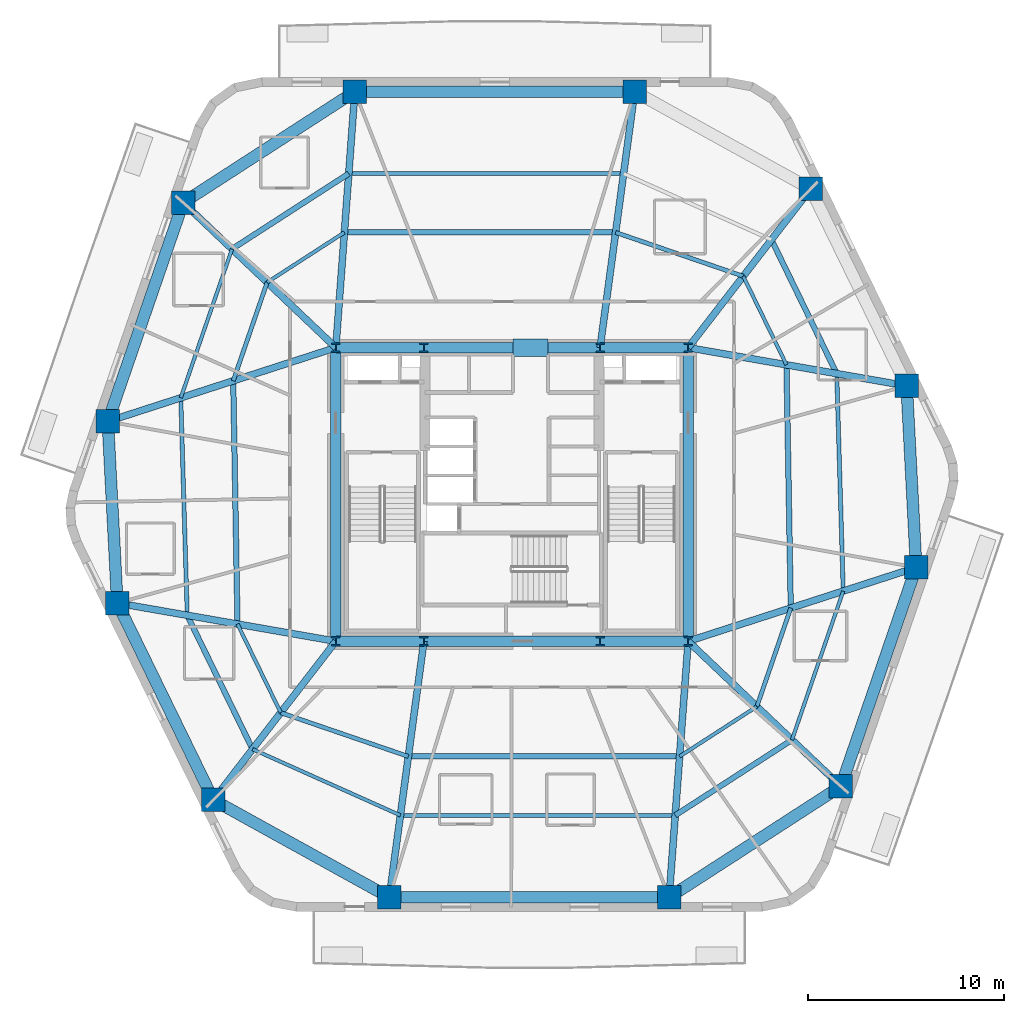
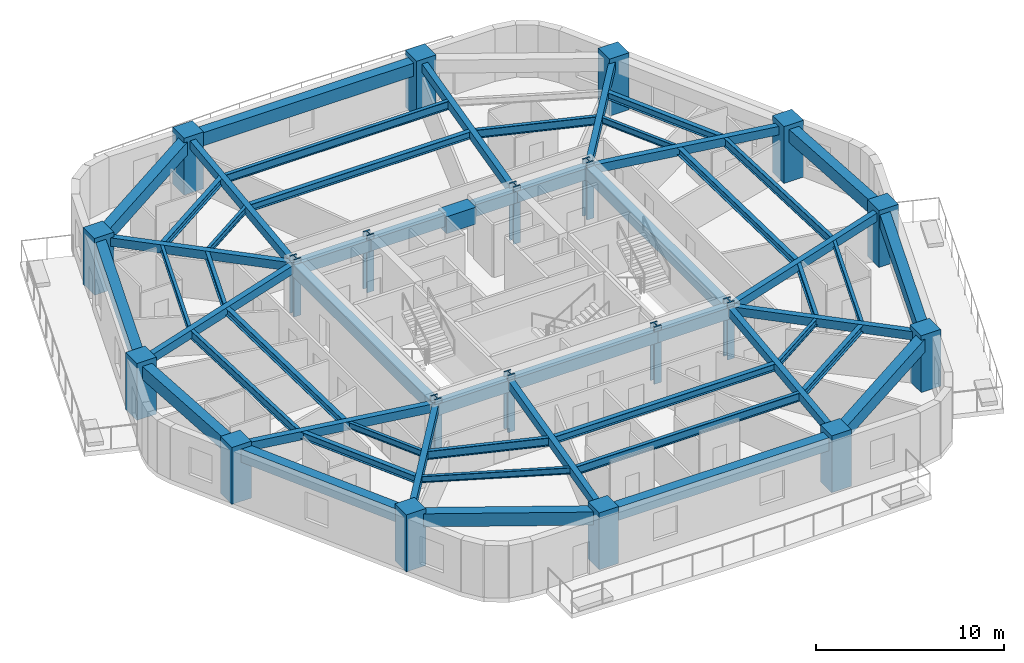
# One storey, part 1 of 8: 54 beams, 20 columns.
"""IFC4 building model written with IfcOpenShell, lengths in metres."""

from ifc_helpers import new_model, si_unit, direction, frame, origin, origin_2d, place, context, subcontext, project, spatial, rectangle, i_section, extrude, material, material_profile, profile_set, type_object, element, save


model = new_model("IFC4")

# Units and contexts
model_context = context("Model", 3, precision=1e-05, world=origin(), true_north=direction((0.0, 1.0)))
body_context = subcontext(model_context, "Body", "Model", "MODEL_VIEW")
ifc_project = project(units=[si_unit("LENGTHUNIT", "METRE"), si_unit("AREAUNIT", "SQUARE_METRE"), si_unit("VOLUMEUNIT", "CUBIC_METRE"), si_unit("PLANEANGLEUNIT", "RADIAN"), si_unit("MASSUNIT", "GRAM", prefix="KILO")], contexts=[model_context])

# Site, building, storey
site_placement = place(None, origin())
site = spatial("IfcSite", under=ifc_project, at=site_placement, CompositionType="ELEMENT")
building_placement = place(site_placement, origin())
building = spatial("IfcBuilding", under=site, at=building_placement, Name="Kilnhurst Terrace Hotel", CompositionType="ELEMENT")
storey_placement = place(building_placement, frame((0.0, 0.0, 109.89990234375)))
storey = spatial("IfcBuildingStorey", under=building, at=storey_placement, Name="L26", CompositionType="ELEMENT", Elevation=109.89990234375)

# Columns
ifc_material_1 = material(Name="Concrete C80/95", Category="concrete")
ifc_material_profile_1 = material_profile(ifc_material_1, rectangle(XDim=1.199951171875, YDim=1.199951171875, at=origin_2d()), Name="RC1200X1200")
ifc_profile_set_1 = profile_set([ifc_material_profile_1], Name="Concrete C80/95")
column_type_1 = type_object("IfcColumnType", Name="COL-RC-1200", PredefinedType="COLUMN", material=ifc_profile_set_1)
for number, where, z_axis, x_axis, name in (
    (1, (-6.26806640625, -20.580078125, 0.0), (0.0, 0.0, 1.0), (1.0, 0.0, 0.0), "L26 Structural Column PC-F11"),
    (2, (8.028076171875, -20.580078125, 0.0), (0.0, 0.0, 1.0), (1.0, 0.0, 0.0), "L26 Structural Column PC-F12"),
    (3, (16.800048828125, -14.910888671875, 0.0), (0.0, 0.0, 1.0), (1.0, 0.0, 0.0), "L26 Structural Column PC-F21"),
    (4, (20.64990234375, -3.73095703125, 0.0), (0.0, 0.0, 1.0), (1.0, 0.0, 0.0), "L26 Structural Column PC-F22"),
    (5, (20.1640625, 5.549072265625, 0.0), (0.0, 0.0, 1.0), (1.0, 0.0, 0.0), "L26 Structural Column PC-F31"),
    (6, (15.257080078125, 15.60888671875, 0.0), (0.0, 0.0, 1.0), (1.0, 0.0, 0.0), "L26 Structural Column PC-F32"),
    (7, (6.26806640625, 20.580078125, 0.0), (0.0, 0.0, 1.0), (1.0, 0.0, 0.0), "L26 Structural Column PC-F41"),
    (8, (-8.028076171875, 20.580078125, 0.0), (0.0, 0.0, 1.0), (1.0, 0.0, 0.0), "L26 Structural Column PC-F42"),
    (9, (-16.800048828125, 14.910888671875, 0.0), (0.0, 0.0, 1.0), (1.0, 0.0, 0.0), "L26 Structural Column PC-F51"),
    (10, (-20.64990234375, 3.73095703125, 0.0), (0.0, 0.0, 1.0), (1.0, 0.0, 0.0), "L26 Structural Column PC-F52"),
    (11, (-20.1640625, -5.549072265625, 0.0), (0.0, 0.0, 1.0), (1.0, 0.0, 0.0), "L26 Structural Column PC-F61"),
    (12, (-15.257080078125, -15.60888671875, 0.0), (0.0, 0.0, 1.0), (1.0, 0.0, 0.0), "L26 Structural Column PC-F62"),
):
    element("IfcColumn", number, at=place(storey_placement, frame(where, z_axis=z_axis, x_axis=x_axis)), inside=storey, type_object=column_type_1, Name=name, PredefinedType="COLUMN", context=body_context, shape_type="SweptSolid", body=[
        extrude(rectangle(XDim=1.199951171875, YDim=1.199951171875, at=origin_2d()), origin(), (0.0, 0.0, 1.0), 3.7001953125),
    ])
ifc_material_2 = material(Name="Steel ASTM A992 Grade 50", Category="steel")
ifc_material_profile_2 = material_profile(ifc_material_2, i_section(OverallWidth=0.43212890625, OverallDepth=0.497802734375, WebThickness=0.0556640625, FlangeThickness=0.0888671875, at=origin_2d()), Name="W14X500")
ifc_profile_set_2 = profile_set([ifc_material_profile_2], Name="Steel ASTM A992 Grade 50")
column_type_2 = type_object("IfcColumnType", Name="COL-STL-W14X500", PredefinedType="COLUMN", material=ifc_profile_set_2)
for number, where, z_axis, x_axis, name in (
    (13, (-9.0, -7.5, 0.0), (0.0, 0.0, 1.0), (1.0, 0.0, 0.0), "L26 Structural Column CC-SW"),
    (14, (-4.5, -7.5, 0.0), (0.0, 0.0, 1.0), (1.0, 0.0, 0.0), "L26 Structural Column CC-SC1"),
    (15, (4.5, -7.5, 0.0), (0.0, 0.0, 1.0), (1.0, 0.0, 0.0), "L26 Structural Column CC-SC2"),
    (16, (9.0, -7.5, 0.0), (0.0, 0.0, 1.0), (1.0, 0.0, 0.0), "L26 Structural Column CC-SE"),
    (17, (9.0, 7.5, 0.0), (0.0, 0.0, 1.0), (1.0, 0.0, 0.0), "L26 Structural Column CC-NE"),
    (18, (4.5, 7.5, 0.0), (0.0, 0.0, 1.0), (1.0, 0.0, 0.0), "L26 Structural Column CC-NC2"),
    (19, (-4.5, 7.5, 0.0), (0.0, 0.0, 1.0), (1.0, 0.0, 0.0), "L26 Structural Column CC-NC1"),
    (20, (-9.0, 7.5, 0.0), (0.0, 0.0, 1.0), (1.0, 0.0, 0.0), "L26 Structural Column CC-NW"),
):
    element("IfcColumn", number, at=place(storey_placement, frame(where, z_axis=z_axis, x_axis=x_axis)), inside=storey, type_object=column_type_2, Name=name, PredefinedType="COLUMN", context=body_context, shape_type="SweptSolid", body=[
        extrude(i_section(OverallWidth=0.43212890625, OverallDepth=0.497802734375, WebThickness=0.0556640625, FlangeThickness=0.0888671875, at=origin_2d()), origin(), (0.0, 0.0, 1.0), 3.7001953125),
    ])

# Beams
ifc_material_3 = material(Name="Concrete C50/60", Category="concrete")
ifc_material_profile_3 = material_profile(ifc_material_3, rectangle(XDim=0.35009765625, YDim=0.550048828125, at=origin_2d()), Name="RC350X550")
ifc_profile_set_3 = profile_set([ifc_material_profile_3], Name="Concrete C50/60")
beam_type_1 = type_object("IfcBeamType", Name="BM-RAD-350X550", PredefinedType="BEAM", material=ifc_profile_set_3)
beam_1_placement = place(storey_placement, frame((-4.5, -7.5, 3.125), z_axis=(-0.133954226177, -0.990987520249, 0.0), x_axis=(0.990987520249, -0.133954226177, 0.0)))
element("IfcBeam", 21, at=beam_1_placement, inside=storey, type_object=beam_type_1, Name="L26 Radial Floor Beam 1", PredefinedType="BEAM", context=body_context, shape_type="SweptSolid", body=[
    extrude(rectangle(XDim=0.35009765625, YDim=0.550048828125, at=origin_2d()), origin(), (0.0, 0.0, 1.0), 13.198974609375),
])
beam_2_placement = place(storey_placement, frame((9.0, -7.5, 3.125), z_axis=(-0.074101371747, -0.997250714066, 0.0), x_axis=(0.997250714066, -0.074101371747, 0.0)))
element("IfcBeam", 22, at=beam_2_placement, inside=storey, type_object=beam_type_1, Name="L26 Radial Floor Beam 2", PredefinedType="BEAM", context=body_context, shape_type="SweptSolid", body=[
    extrude(rectangle(XDim=0.35009765625, YDim=0.550048828125, at=origin_2d()), origin(), (0.0, 0.0, 1.0), 13.1162109375),
])
beam_3_placement = place(storey_placement, frame((9.0, -7.5, 3.125), z_axis=(0.724960341586, -0.688790609059, 0.0), x_axis=(0.688790609059, 0.724960341586, 0.0)))
element("IfcBeam", 23, at=beam_3_placement, inside=storey, type_object=beam_type_1, Name="L26 Radial Floor Beam 3", PredefinedType="BEAM", context=body_context, shape_type="SweptSolid", body=[
    extrude(rectangle(XDim=0.35009765625, YDim=0.550048828125, at=origin_2d()), origin(), (0.0, 0.0, 1.0), 10.75927734375),
])
beam_4_placement = place(storey_placement, frame((9.0, -7.5, 3.125), z_axis=(0.951445549065, 0.307817100182, 0.0), x_axis=(-0.307817100182, 0.951445549065, 0.0)))
element("IfcBeam", 24, at=beam_4_placement, inside=storey, type_object=beam_type_1, Name="L26 Radial Floor Beam 4", PredefinedType="BEAM", context=body_context, shape_type="SweptSolid", body=[
    extrude(rectangle(XDim=0.35009765625, YDim=0.550048828125, at=origin_2d()), origin(), (0.0, 0.0, 1.0), 12.244384765625),
])
beam_5_placement = place(storey_placement, frame((9.0, 7.5, 3.125), z_axis=(0.985072137567, -0.172142045384, 0.0), x_axis=(0.172142045384, 0.985072137567, 0.0)))
element("IfcBeam", 25, at=beam_5_placement, inside=storey, type_object=beam_type_1, Name="L26 Radial Floor Beam 5", PredefinedType="BEAM", context=body_context, shape_type="SweptSolid", body=[
    extrude(rectangle(XDim=0.35009765625, YDim=0.550048828125, at=origin_2d()), origin(), (0.0, 0.0, 1.0), 11.333251953125),
])
beam_6_placement = place(storey_placement, frame((9.0, 7.5, 3.125), z_axis=(0.610904638371, 0.79170418896, 0.0), x_axis=(-0.79170418896, 0.610904638371, 0.0)))
element("IfcBeam", 26, at=beam_6_placement, inside=storey, type_object=beam_type_1, Name="L26 Radial Floor Beam 6", PredefinedType="BEAM", context=body_context, shape_type="SweptSolid", body=[
    extrude(rectangle(XDim=0.35009765625, YDim=0.550048828125, at=origin_2d()), origin(), (0.0, 0.0, 1.0), 10.242431640625),
])
beam_7_placement = place(storey_placement, frame((4.5, 7.5, 3.125), z_axis=(0.133954226177, 0.990987520249, 0.0), x_axis=(-0.990987520249, 0.133954226177, 0.0)))
element("IfcBeam", 27, at=beam_7_placement, inside=storey, type_object=beam_type_1, Name="L26 Radial Floor Beam 7", PredefinedType="BEAM", context=body_context, shape_type="SweptSolid", body=[
    extrude(rectangle(XDim=0.35009765625, YDim=0.550048828125, at=origin_2d()), origin(), (0.0, 0.0, 1.0), 13.198974609375),
])
beam_8_placement = place(storey_placement, frame((-9.0, 7.5, 3.125), z_axis=(0.074101371747, 0.997250714066, 0.0), x_axis=(-0.997250714066, 0.074101371747, 0.0)))
element("IfcBeam", 28, at=beam_8_placement, inside=storey, type_object=beam_type_1, Name="L26 Radial Floor Beam 8", PredefinedType="BEAM", context=body_context, shape_type="SweptSolid", body=[
    extrude(rectangle(XDim=0.35009765625, YDim=0.550048828125, at=origin_2d()), origin(), (0.0, 0.0, 1.0), 13.1162109375),
])
beam_9_placement = place(storey_placement, frame((-9.0, 7.5, 3.125), z_axis=(-0.724960341586, 0.688790609059, 0.0), x_axis=(-0.688790609059, -0.724960341586, 0.0)))
element("IfcBeam", 29, at=beam_9_placement, inside=storey, type_object=beam_type_1, Name="L26 Radial Floor Beam 9", PredefinedType="BEAM", context=body_context, shape_type="SweptSolid", body=[
    extrude(rectangle(XDim=0.35009765625, YDim=0.550048828125, at=origin_2d()), origin(), (0.0, 0.0, 1.0), 10.75927734375),
])
beam_10_placement = place(storey_placement, frame((-9.0, 7.5, 3.125), z_axis=(-0.951445549065, -0.307817100182, 0.0), x_axis=(0.307817100182, -0.951445549065, 0.0)))
element("IfcBeam", 30, at=beam_10_placement, inside=storey, type_object=beam_type_1, Name="L26 Radial Floor Beam 10", PredefinedType="BEAM", context=body_context, shape_type="SweptSolid", body=[
    extrude(rectangle(XDim=0.35009765625, YDim=0.550048828125, at=origin_2d()), origin(), (0.0, 0.0, 1.0), 12.244384765625),
])
beam_11_placement = place(storey_placement, frame((-9.0, -7.5, 3.125), z_axis=(-0.985072137567, 0.172142045384, 0.0), x_axis=(-0.172142045384, -0.985072137567, 0.0)))
element("IfcBeam", 31, at=beam_11_placement, inside=storey, type_object=beam_type_1, Name="L26 Radial Floor Beam 11", PredefinedType="BEAM", context=body_context, shape_type="SweptSolid", body=[
    extrude(rectangle(XDim=0.35009765625, YDim=0.550048828125, at=origin_2d()), origin(), (0.0, 0.0, 1.0), 11.333251953125),
])
beam_12_placement = place(storey_placement, frame((-9.0, -7.5, 3.125), z_axis=(-0.610904638371, -0.79170418896, 0.0), x_axis=(0.79170418896, -0.610904638371, 0.0)))
element("IfcBeam", 32, at=beam_12_placement, inside=storey, type_object=beam_type_1, Name="L26 Radial Floor Beam 12", PredefinedType="BEAM", context=body_context, shape_type="SweptSolid", body=[
    extrude(rectangle(XDim=0.35009765625, YDim=0.550048828125, at=origin_2d()), origin(), (0.0, 0.0, 1.0), 10.242431640625),
])
ifc_material_profile_4 = material_profile(ifc_material_3, rectangle(XDim=0.550048828125, YDim=0.75, at=origin_2d()), Name="RC550X750")
ifc_profile_set_4 = profile_set([ifc_material_profile_4], Name="Concrete C50/60")
beam_type_2 = type_object("IfcBeamType", Name="BM-SPN-550X750", PredefinedType="SPANDREL", material=ifc_profile_set_4)
beam_13_placement = place(storey_placement, frame((-9.0, 7.5, 3.025146484375), z_axis=(1.0, 0.0, 0.0), x_axis=(0.0, 1.0, 0.0)))
element("IfcBeam", 33, at=beam_13_placement, inside=storey, type_object=beam_type_2, Name="L26 Core Tie Beam CC-NW to CC-NC1", PredefinedType="SPANDREL", context=body_context, shape_type="SweptSolid", body=[
    extrude(rectangle(XDim=0.550048828125, YDim=0.75, at=origin_2d()), origin(), (0.0, 0.0, 1.0), 4.5),
])
beam_14_placement = place(storey_placement, frame((-4.5, 7.5, 3.025146484375), z_axis=(1.0, 0.0, 0.0), x_axis=(0.0, 1.0, 0.0)))
element("IfcBeam", 34, at=beam_14_placement, inside=storey, type_object=beam_type_2, Name="L26 Core Tie Beam CC-NC1 to CC-NC2", PredefinedType="SPANDREL", context=body_context, shape_type="SweptSolid", body=[
    extrude(rectangle(XDim=0.550048828125, YDim=0.75, at=origin_2d()), origin(), (0.0, 0.0, 1.0), 9.0),
])
for number, where, z_axis, x_axis, name in (
    (35, (4.5, 7.5, 3.025146484375), (1.0, 0.0, 0.0), (0.0, 1.0, 0.0), "L26 Core Tie Beam CC-NC2 to CC-NE"),
    (36, (-9.0, -7.5, 3.025146484375), (1.0, 0.0, 0.0), (0.0, 1.0, 0.0), "L26 Core Tie Beam CC-SW to CC-SC1"),
):
    element("IfcBeam", number, at=place(storey_placement, frame(where, z_axis=z_axis, x_axis=x_axis)), inside=storey, type_object=beam_type_2, Name=name, PredefinedType="SPANDREL", context=body_context, shape_type="SweptSolid", body=[
        extrude(rectangle(XDim=0.550048828125, YDim=0.75, at=origin_2d()), origin(), (0.0, 0.0, 1.0), 4.5),
    ])
beam_15_placement = place(storey_placement, frame((-4.5, -7.5, 3.025146484375), z_axis=(1.0, 0.0, 0.0), x_axis=(0.0, 1.0, 0.0)))
element("IfcBeam", 37, at=beam_15_placement, inside=storey, type_object=beam_type_2, Name="L26 Core Tie Beam CC-SC1 to CC-SC2", PredefinedType="SPANDREL", context=body_context, shape_type="SweptSolid", body=[
    extrude(rectangle(XDim=0.550048828125, YDim=0.75, at=origin_2d()), origin(), (0.0, 0.0, 1.0), 9.0),
])
beam_16_placement = place(storey_placement, frame((4.5, -7.5, 3.025146484375), z_axis=(1.0, 0.0, 0.0), x_axis=(0.0, 1.0, 0.0)))
element("IfcBeam", 38, at=beam_16_placement, inside=storey, type_object=beam_type_2, Name="L26 Core Tie Beam CC-SC2 to CC-SE", PredefinedType="SPANDREL", context=body_context, shape_type="SweptSolid", body=[
    extrude(rectangle(XDim=0.550048828125, YDim=0.75, at=origin_2d()), origin(), (0.0, 0.0, 1.0), 4.5),
])
for number, where, z_axis, x_axis, name in (
    (39, (-9.0, -7.5, 3.025146484375), (0.0, 1.0, 0.0), (-1.0, 0.0, 0.0), "L26 Core Tie Beam CC-SW to CC-NW"),
    (40, (9.0, -7.5, 3.025146484375), (0.0, 1.0, 0.0), (-1.0, 0.0, 0.0), "L26 Core Tie Beam CC-SE to CC-NE"),
):
    element("IfcBeam", number, at=place(storey_placement, frame(where, z_axis=z_axis, x_axis=x_axis)), inside=storey, type_object=beam_type_2, Name=name, PredefinedType="SPANDREL", context=body_context, shape_type="SweptSolid", body=[
        extrude(rectangle(XDim=0.550048828125, YDim=0.75, at=origin_2d()), origin(), (0.0, 0.0, 1.0), 15.0),
    ])
ifc_material_profile_5 = material_profile(ifc_material_3, rectangle(XDim=0.60009765625, YDim=0.85009765625, at=origin_2d()), Name="RC600X850")
ifc_profile_set_5 = profile_set([ifc_material_profile_5], Name="Concrete C50/60")
beam_type_3 = type_object("IfcBeamType", Name="BM-SPN-600X850", PredefinedType="SPANDREL", material=ifc_profile_set_5)
beam_17_placement = place(storey_placement, frame((-6.26806640625, -20.580078125, 2.97509765625), z_axis=(1.0, 0.0, 0.0), x_axis=(0.0, 1.0, 0.0)))
element("IfcBeam", 41, at=beam_17_placement, inside=storey, type_object=beam_type_3, Name="L26 Perimeter Spandrel Beam 1", PredefinedType="SPANDREL", context=body_context, shape_type="SweptSolid", body=[
    extrude(rectangle(XDim=0.60009765625, YDim=0.85009765625, at=origin_2d()), origin(), (0.0, 0.0, 1.0), 14.296142578125),
])
beam_18_placement = place(storey_placement, frame((8.028076171875, -20.580078125, 2.97509765625), z_axis=(0.839866667472, 0.542792760517, 0.0), x_axis=(-0.542792760517, 0.839866667472, 0.0)))
element("IfcBeam", 42, at=beam_18_placement, inside=storey, type_object=beam_type_3, Name="L26 Perimeter Spandrel Beam 2", PredefinedType="SPANDREL", context=body_context, shape_type="SweptSolid", body=[
    extrude(rectangle(XDim=0.60009765625, YDim=0.85009765625, at=origin_2d()), origin(), (0.0, 0.0, 1.0), 10.444580078125),
])
beam_19_placement = place(storey_placement, frame((16.800048828125, -14.910888671875, 2.97509765625), z_axis=(0.325590408593, 0.945510912593, 0.0), x_axis=(-0.945510912593, 0.325590408593, 0.0)))
element("IfcBeam", 43, at=beam_19_placement, inside=storey, type_object=beam_type_3, Name="L26 Perimeter Spandrel Beam 3", PredefinedType="SPANDREL", context=body_context, shape_type="SweptSolid", body=[
    extrude(rectangle(XDim=0.60009765625, YDim=0.85009765625, at=origin_2d()), origin(), (0.0, 0.0, 1.0), 11.82421875),
])
beam_20_placement = place(storey_placement, frame((20.64990234375, -3.73095703125, 2.97509765625), z_axis=(-0.052281666706, 0.998632378469, 0.0), x_axis=(-0.998632378469, -0.052281666706, 0.0)))
element("IfcBeam", 44, at=beam_20_placement, inside=storey, type_object=beam_type_3, Name="L26 Perimeter Spandrel Beam 4", PredefinedType="SPANDREL", context=body_context, shape_type="SweptSolid", body=[
    extrude(rectangle(XDim=0.60009765625, YDim=0.85009765625, at=origin_2d()), origin(), (0.0, 0.0, 1.0), 9.292724609375),
])
beam_21_placement = place(storey_placement, frame((6.26806640625, 20.580078125, 2.97509765625), z_axis=(-1.0, 0.0, 0.0), x_axis=(0.0, -1.0, 0.0)))
element("IfcBeam", 45, at=beam_21_placement, inside=storey, type_object=beam_type_3, Name="L26 Perimeter Spandrel Beam 7", PredefinedType="SPANDREL", context=body_context, shape_type="SweptSolid", body=[
    extrude(rectangle(XDim=0.60009765625, YDim=0.85009765625, at=origin_2d()), origin(), (0.0, 0.0, 1.0), 14.296142578125),
])
beam_22_placement = place(storey_placement, frame((-8.028076171875, 20.580078125, 2.97509765625), z_axis=(-0.839866667472, -0.542792760517, 0.0), x_axis=(0.542792760517, -0.839866667472, 0.0)))
element("IfcBeam", 46, at=beam_22_placement, inside=storey, type_object=beam_type_3, Name="L26 Perimeter Spandrel Beam 8", PredefinedType="SPANDREL", context=body_context, shape_type="SweptSolid", body=[
    extrude(rectangle(XDim=0.60009765625, YDim=0.85009765625, at=origin_2d()), origin(), (0.0, 0.0, 1.0), 10.444580078125),
])
beam_23_placement = place(storey_placement, frame((-16.800048828125, 14.910888671875, 2.97509765625), z_axis=(-0.325590408593, -0.945510912593, 0.0), x_axis=(0.945510912593, -0.325590408593, 0.0)))
element("IfcBeam", 47, at=beam_23_placement, inside=storey, type_object=beam_type_3, Name="L26 Perimeter Spandrel Beam 9", PredefinedType="SPANDREL", context=body_context, shape_type="SweptSolid", body=[
    extrude(rectangle(XDim=0.60009765625, YDim=0.85009765625, at=origin_2d()), origin(), (0.0, 0.0, 1.0), 11.82421875),
])
beam_24_placement = place(storey_placement, frame((-20.64990234375, 3.73095703125, 2.97509765625), z_axis=(0.052281666706, -0.998632378469, 0.0), x_axis=(0.998632378469, 0.052281666706, 0.0)))
element("IfcBeam", 48, at=beam_24_placement, inside=storey, type_object=beam_type_3, Name="L26 Perimeter Spandrel Beam 10", PredefinedType="SPANDREL", context=body_context, shape_type="SweptSolid", body=[
    extrude(rectangle(XDim=0.60009765625, YDim=0.85009765625, at=origin_2d()), origin(), (0.0, 0.0, 1.0), 9.292724609375),
])
beam_25_placement = place(storey_placement, frame((-20.1640625, -5.549072265625, 2.97509765625), z_axis=(0.438406012271, -0.89877704043, 0.0), x_axis=(0.89877704043, 0.438406012271, 0.0)))
element("IfcBeam", 49, at=beam_25_placement, inside=storey, type_object=beam_type_3, Name="L26 Perimeter Spandrel Beam 11", PredefinedType="SPANDREL", context=body_context, shape_type="SweptSolid", body=[
    extrude(rectangle(XDim=0.60009765625, YDim=0.85009765625, at=origin_2d()), origin(), (0.0, 0.0, 1.0), 11.19287109375),
])
beam_26_placement = place(storey_placement, frame((-15.257080078125, -15.60888671875, 2.97509765625), z_axis=(0.875094010429, -0.483952965598, 0.0), x_axis=(0.483952965598, 0.875094010429, 0.0)))
element("IfcBeam", 50, at=beam_26_placement, inside=storey, type_object=beam_type_3, Name="L26 Perimeter Spandrel Beam 12", PredefinedType="SPANDREL", context=body_context, shape_type="SweptSolid", body=[
    extrude(rectangle(XDim=0.60009765625, YDim=0.85009765625, at=origin_2d()), origin(), (0.0, 0.0, 1.0), 10.27197265625),
])
ifc_material_profile_6 = material_profile(ifc_material_2, i_section(OverallWidth=0.180908203125, OverallDepth=0.417236328125, WebThickness=0.010986328125, FlangeThickness=0.018310546875, at=origin_2d()), Name="W16X57")
ifc_profile_set_6 = profile_set([ifc_material_profile_6], Name="Steel ASTM A992 Grade 50")
beam_type_4 = type_object("IfcBeamType", Name="JST-STL-W16X57", PredefinedType="JOIST", material=ifc_profile_set_6)
for number, where, z_axis, x_axis, name in (
    (51, (14.303955078125, -12.53955078125, 3.191162109375), (0.325612620381, 0.945503263584, 0.0), (-0.945503263584, 0.325612620381, 0.0), "L26 Secondary Floor Steel Joist OUT.3"),
    (52, (-14.303955078125, 12.53955078125, 3.191162109375), (-0.325612620381, -0.945503263584, 0.0), (0.945503263584, -0.325612620381, 0.0), "L26 Secondary Floor Steel Joist OUT.9"),
):
    element("IfcBeam", number, at=place(storey_placement, frame(where, z_axis=z_axis, x_axis=x_axis)), inside=storey, type_object=beam_type_4, Name=name, PredefinedType="JOIST", context=body_context, shape_type="SweptSolid", body=[
        extrude(i_section(OverallWidth=0.180908203125, OverallDepth=0.417236328125, WebThickness=0.010986328125, FlangeThickness=0.018310546875, at=origin_2d()), origin(), (0.0, 0.0, 1.0), 8.040771484375),
    ])
beam_27_placement = place(storey_placement, frame((-13.2548828125, -13.01416015625, 3.191162109375), z_axis=(0.912760935806, -0.408494154262, 0.0), x_axis=(0.408494154262, 0.912760935806, 0.0)))
element("IfcBeam", 53, at=beam_27_placement, inside=storey, type_object=beam_type_4, Name="L26 Secondary Floor Steel Joist OUT.12", PredefinedType="JOIST", context=body_context, shape_type="SweptSolid", body=[
    extrude(i_section(OverallWidth=0.180908203125, OverallDepth=0.417236328125, WebThickness=0.010986328125, FlangeThickness=0.018310546875, at=origin_2d()), origin(), (0.0, 0.0, 1.0), 8.274658203125),
])
beam_28_placement = place(storey_placement, frame((8.5625, -13.385986328125, 3.191162109375), z_axis=(0.839884974974, 0.542764432155, 0.0), x_axis=(-0.542764432155, 0.839884974974, 0.0)))
element("IfcBeam", 54, at=beam_28_placement, inside=storey, type_object=beam_type_4, Name="L26 Secondary Floor Steel Joist IN.2", PredefinedType="JOIST", context=body_context, shape_type="SweptSolid", body=[
    extrude(i_section(OverallWidth=0.180908203125, OverallDepth=0.417236328125, WebThickness=0.010986328125, FlangeThickness=0.018310546875, at=origin_2d()), origin(), (0.0, 0.0, 1.0), 4.699951171875),
])
beam_29_placement = place(storey_placement, frame((14.023681640625, 6.6220703125, 3.191162109375), z_axis=(-0.438389251087, 0.898785216017, 0.0), x_axis=(-0.898785216017, -0.438389251087, 0.0)))
element("IfcBeam", 55, at=beam_29_placement, inside=storey, type_object=beam_type_4, Name="L26 Secondary Floor Steel Joist IN.5", PredefinedType="JOIST", context=body_context, shape_type="SweptSolid", body=[
    extrude(i_section(OverallWidth=0.180908203125, OverallDepth=0.417236328125, WebThickness=0.010986328125, FlangeThickness=0.018310546875, at=origin_2d()), origin(), (0.0, 0.0, 1.0), 5.03662109375),
])
beam_30_placement = place(storey_placement, frame((-8.5625, 13.385986328125, 3.191162109375), z_axis=(-0.839884974974, -0.542764432155, 0.0), x_axis=(0.542764432155, -0.839884974974, 0.0)))
element("IfcBeam", 56, at=beam_30_placement, inside=storey, type_object=beam_type_4, Name="L26 Secondary Floor Steel Joist IN.8", PredefinedType="JOIST", context=body_context, shape_type="SweptSolid", body=[
    extrude(i_section(OverallWidth=0.180908203125, OverallDepth=0.417236328125, WebThickness=0.010986328125, FlangeThickness=0.018310546875, at=origin_2d()), origin(), (0.0, 0.0, 1.0), 4.699951171875),
])
beam_31_placement = place(storey_placement, frame((-14.023681640625, -6.6220703125, 3.191162109375), z_axis=(0.438389251087, -0.898785216017, 0.0), x_axis=(0.898785216017, 0.438389251087, 0.0)))
element("IfcBeam", 57, at=beam_31_placement, inside=storey, type_object=beam_type_4, Name="L26 Secondary Floor Steel Joist IN.11", PredefinedType="JOIST", context=body_context, shape_type="SweptSolid", body=[
    extrude(i_section(OverallWidth=0.180908203125, OverallDepth=0.417236328125, WebThickness=0.010986328125, FlangeThickness=0.018310546875, at=origin_2d()), origin(), (0.0, 0.0, 1.0), 5.03662109375),
])
ifc_material_profile_7 = material_profile(ifc_material_2, i_section(OverallWidth=0.279296875, OverallDepth=0.462890625, WebThickness=0.0107421875, FlangeThickness=0.017333984375, at=origin_2d()), Name="W18X76")
ifc_profile_set_7 = profile_set([ifc_material_profile_7], Name="Steel ASTM A992 Grade 50")
beam_type_5 = type_object("IfcBeamType", Name="JST-STL-W18X76", PredefinedType="JOIST", material=ifc_profile_set_7)
beam_32_placement = place(storey_placement, frame((8.339111328125, -16.394287109375, 3.168212890625), z_axis=(0.839882675086, 0.542767991034, 0.0), x_axis=(-0.542767991034, 0.839882675086, 0.0)))
element("IfcBeam", 58, at=beam_32_placement, inside=storey, type_object=beam_type_5, Name="L26 Secondary Floor Steel Joist OUT.2", PredefinedType="JOIST", context=body_context, shape_type="SweptSolid", body=[
    extrude(i_section(OverallWidth=0.279296875, OverallDepth=0.462890625, WebThickness=0.0107421875, FlangeThickness=0.017333984375, at=origin_2d()), origin(), (0.0, 0.0, 1.0), 7.10205078125),
])
beam_33_placement = place(storey_placement, frame((16.591552734375, 6.17333984375, 3.168212890625), z_axis=(-0.438390137084, 0.898784783865, 0.0), x_axis=(-0.898784783865, -0.438390137084, 0.0)))
element("IfcBeam", 59, at=beam_33_placement, inside=storey, type_object=beam_type_5, Name="L26 Secondary Floor Steel Joist OUT.5", PredefinedType="JOIST", context=body_context, shape_type="SweptSolid", body=[
    extrude(i_section(OverallWidth=0.279296875, OverallDepth=0.462890625, WebThickness=0.0107421875, FlangeThickness=0.017333984375, at=origin_2d()), origin(), (0.0, 0.0, 1.0), 7.611083984375),
])
beam_34_placement = place(storey_placement, frame((-8.339111328125, 16.394287109375, 3.168212890625), z_axis=(-0.839882675086, -0.542767991034, 0.0), x_axis=(0.542767991034, -0.839882675086, 0.0)))
element("IfcBeam", 60, at=beam_34_placement, inside=storey, type_object=beam_type_5, Name="L26 Secondary Floor Steel Joist OUT.8", PredefinedType="JOIST", context=body_context, shape_type="SweptSolid", body=[
    extrude(i_section(OverallWidth=0.279296875, OverallDepth=0.462890625, WebThickness=0.0107421875, FlangeThickness=0.017333984375, at=origin_2d()), origin(), (0.0, 0.0, 1.0), 7.10205078125),
])
beam_35_placement = place(storey_placement, frame((-16.591552734375, -6.17333984375, 3.168212890625), z_axis=(0.438390137084, -0.898784783865, 0.0), x_axis=(0.898784783865, 0.438390137084, 0.0)))
element("IfcBeam", 61, at=beam_35_placement, inside=storey, type_object=beam_type_5, Name="L26 Secondary Floor Steel Joist OUT.11", PredefinedType="JOIST", context=body_context, shape_type="SweptSolid", body=[
    extrude(i_section(OverallWidth=0.279296875, OverallDepth=0.462890625, WebThickness=0.0107421875, FlangeThickness=0.017333984375, at=origin_2d()), origin(), (0.0, 0.0, 1.0), 7.611083984375),
])
beam_36_placement = place(storey_placement, frame((-5.295654296875, -13.385986328125, 3.168212890625), z_axis=(1.0, 0.0, 0.0), x_axis=(0.0, 1.0, 0.0)))
element("IfcBeam", 62, at=beam_36_placement, inside=storey, type_object=beam_type_5, Name="L26 Secondary Floor Steel Joist IN.1", PredefinedType="JOIST", context=body_context, shape_type="SweptSolid", body=[
    extrude(i_section(OverallWidth=0.279296875, OverallDepth=0.462890625, WebThickness=0.0107421875, FlangeThickness=0.017333984375, at=origin_2d()), origin(), (0.0, 0.0, 1.0), 13.858154296875),
])
beam_37_placement = place(storey_placement, frame((14.242431640625, -5.803955078125, 3.168212890625), z_axis=(-0.017601453796, 0.999845082412, 0.0), x_axis=(-0.999845082412, -0.017601453796, 0.0)))
element("IfcBeam", 63, at=beam_37_placement, inside=storey, type_object=beam_type_5, Name="L26 Secondary Floor Steel Joist IN.4", PredefinedType="JOIST", context=body_context, shape_type="SweptSolid", body=[
    extrude(i_section(OverallWidth=0.279296875, OverallDepth=0.462890625, WebThickness=0.0107421875, FlangeThickness=0.017333984375, at=origin_2d()), origin(), (0.0, 0.0, 1.0), 12.427978515625),
])
beam_38_placement = place(storey_placement, frame((5.295654296875, 13.385986328125, 3.168212890625), z_axis=(-1.0, 0.0, 0.0), x_axis=(0.0, -1.0, 0.0)))
element("IfcBeam", 64, at=beam_38_placement, inside=storey, type_object=beam_type_5, Name="L26 Secondary Floor Steel Joist IN.7", PredefinedType="JOIST", context=body_context, shape_type="SweptSolid", body=[
    extrude(i_section(OverallWidth=0.279296875, OverallDepth=0.462890625, WebThickness=0.0107421875, FlangeThickness=0.017333984375, at=origin_2d()), origin(), (0.0, 0.0, 1.0), 13.858154296875),
])
beam_39_placement = place(storey_placement, frame((-14.242431640625, 5.803955078125, 3.168212890625), z_axis=(0.017601453796, -0.999845082412, 0.0), x_axis=(0.999845082412, 0.017601453796, 0.0)))
element("IfcBeam", 65, at=beam_39_placement, inside=storey, type_object=beam_type_5, Name="L26 Secondary Floor Steel Joist IN.10", PredefinedType="JOIST", context=body_context, shape_type="SweptSolid", body=[
    extrude(i_section(OverallWidth=0.279296875, OverallDepth=0.462890625, WebThickness=0.0107421875, FlangeThickness=0.017333984375, at=origin_2d()), origin(), (0.0, 0.0, 1.0), 12.427978515625),
])
ifc_material_profile_8 = material_profile(ifc_material_2, i_section(OverallWidth=0.2138671875, OverallDepth=0.549072265625, WebThickness=0.0146484375, FlangeThickness=0.023681640625, at=origin_2d()), Name="W21X93")
ifc_profile_set_8 = profile_set([ifc_material_profile_8], Name="Steel ASTM A992 Grade 50")
beam_type_6 = type_object("IfcBeamType", Name="JST-STL-W21X93", PredefinedType="JOIST", material=ifc_profile_set_8)
beam_40_placement = place(storey_placement, frame((-5.7021484375, -16.394287109375, 3.125), z_axis=(1.0, 0.0, 0.0), x_axis=(0.0, 1.0, 0.0)))
element("IfcBeam", 66, at=beam_40_placement, inside=storey, type_object=beam_type_6, Name="L26 Secondary Floor Steel Joist OUT.1", PredefinedType="JOIST", context=body_context, shape_type="SweptSolid", body=[
    extrude(i_section(OverallWidth=0.2138671875, OverallDepth=0.549072265625, WebThickness=0.0146484375, FlangeThickness=0.023681640625, at=origin_2d()), origin(), (0.0, 0.0, 1.0), 14.041259765625),
])
beam_41_placement = place(storey_placement, frame((16.922119140625, -4.93701171875, 3.125), z_axis=(-0.029739849895, 0.999557672837, 0.0), x_axis=(-0.999557672837, -0.029739849895, 0.0)))
element("IfcBeam", 67, at=beam_41_placement, inside=storey, type_object=beam_type_6, Name="L26 Secondary Floor Steel Joist OUT.4", PredefinedType="JOIST", context=body_context, shape_type="SweptSolid", body=[
    extrude(i_section(OverallWidth=0.2138671875, OverallDepth=0.549072265625, WebThickness=0.0146484375, FlangeThickness=0.023681640625, at=origin_2d()), origin(), (0.0, 0.0, 1.0), 11.115234375),
])
beam_42_placement = place(storey_placement, frame((5.7021484375, 16.394287109375, 3.125), z_axis=(-1.0, 0.0, 0.0), x_axis=(0.0, -1.0, 0.0)))
element("IfcBeam", 68, at=beam_42_placement, inside=storey, type_object=beam_type_6, Name="L26 Secondary Floor Steel Joist OUT.7", PredefinedType="JOIST", context=body_context, shape_type="SweptSolid", body=[
    extrude(i_section(OverallWidth=0.2138671875, OverallDepth=0.549072265625, WebThickness=0.0146484375, FlangeThickness=0.023681640625, at=origin_2d()), origin(), (0.0, 0.0, 1.0), 14.041259765625),
])
beam_43_placement = place(storey_placement, frame((-16.922119140625, 4.93701171875, 3.125), z_axis=(0.029739849895, -0.999557672837, 0.0), x_axis=(0.999557672837, 0.029739849895, 0.0)))
element("IfcBeam", 69, at=beam_43_placement, inside=storey, type_object=beam_type_6, Name="L26 Secondary Floor Steel Joist OUT.10", PredefinedType="JOIST", context=body_context, shape_type="SweptSolid", body=[
    extrude(i_section(OverallWidth=0.2138671875, OverallDepth=0.549072265625, WebThickness=0.0146484375, FlangeThickness=0.023681640625, at=origin_2d()), origin(), (0.0, 0.0, 1.0), 11.115234375),
])
beam_44_placement = place(storey_placement, frame((12.510009765625, -10.8349609375, 3.125), z_axis=(0.325586238877, 0.945512348441, 0.0), x_axis=(-0.945512348441, 0.325586238877, 0.0)))
element("IfcBeam", 70, at=beam_44_placement, inside=storey, type_object=beam_type_6, Name="L26 Secondary Floor Steel Joist IN.3", PredefinedType="JOIST", context=body_context, shape_type="SweptSolid", body=[
    extrude(i_section(OverallWidth=0.2138671875, OverallDepth=0.549072265625, WebThickness=0.0146484375, FlangeThickness=0.023681640625, at=origin_2d()), origin(), (0.0, 0.0, 1.0), 5.321044921875),
])
beam_45_placement = place(storey_placement, frame((11.815673828125, 11.14892578125, 3.125), z_axis=(-0.945873585837, 0.324535297949, 0.0), x_axis=(-0.324535297949, -0.945873585837, 0.0)))
element("IfcBeam", 71, at=beam_45_placement, inside=storey, type_object=beam_type_6, Name="L26 Secondary Floor Steel Joist IN.6", PredefinedType="JOIST", context=body_context, shape_type="SweptSolid", body=[
    extrude(i_section(OverallWidth=0.2138671875, OverallDepth=0.549072265625, WebThickness=0.0146484375, FlangeThickness=0.023681640625, at=origin_2d()), origin(), (0.0, 0.0, 1.0), 6.89306640625),
])
beam_46_placement = place(storey_placement, frame((-12.510009765625, 10.8349609375, 3.125), z_axis=(-0.325586238877, -0.945512348441, 0.0), x_axis=(0.945512348441, -0.325586238877, 0.0)))
element("IfcBeam", 72, at=beam_46_placement, inside=storey, type_object=beam_type_6, Name="L26 Secondary Floor Steel Joist IN.9", PredefinedType="JOIST", context=body_context, shape_type="SweptSolid", body=[
    extrude(i_section(OverallWidth=0.2138671875, OverallDepth=0.549072265625, WebThickness=0.0146484375, FlangeThickness=0.023681640625, at=origin_2d()), origin(), (0.0, 0.0, 1.0), 5.321044921875),
])
beam_47_placement = place(storey_placement, frame((-11.815673828125, -11.14892578125, 3.125), z_axis=(0.945873585837, -0.324535297949, 0.0), x_axis=(0.324535297949, 0.945873585837, 0.0)))
element("IfcBeam", 73, at=beam_47_placement, inside=storey, type_object=beam_type_6, Name="L26 Secondary Floor Steel Joist IN.12", PredefinedType="JOIST", context=body_context, shape_type="SweptSolid", body=[
    extrude(i_section(OverallWidth=0.2138671875, OverallDepth=0.549072265625, WebThickness=0.0146484375, FlangeThickness=0.023681640625, at=origin_2d()), origin(), (0.0, 0.0, 1.0), 6.89306640625),
])
ifc_material_profile_9 = material_profile(ifc_material_1, rectangle(XDim=0.89990234375, YDim=1.10009765625, at=origin_2d()), Name="RC900X1100")
ifc_profile_set_9 = profile_set([ifc_material_profile_9], Name="Concrete C80/95")
beam_type_7 = type_object("IfcBeamType", Name="LNT-CB-900X1100", PredefinedType="LINTEL", material=ifc_profile_set_9)
beam_48_placement = place(storey_placement, frame((0.050048828125, 7.5, 2.85009765625), z_axis=(1.0, 0.0, 0.0), x_axis=(0.0, 1.0, 0.0)))
element("IfcBeam", 74, at=beam_48_placement, inside=storey, type_object=beam_type_7, Name="L26 North Core Coupling Link Beam", PredefinedType="LINTEL", context=body_context, shape_type="SweptSolid", body=[
    extrude(rectangle(XDim=0.89990234375, YDim=1.10009765625, at=origin_2d()), origin(), (0.0, 0.0, 1.0), 1.800048828125),
])

save(model, "model.ifc")
